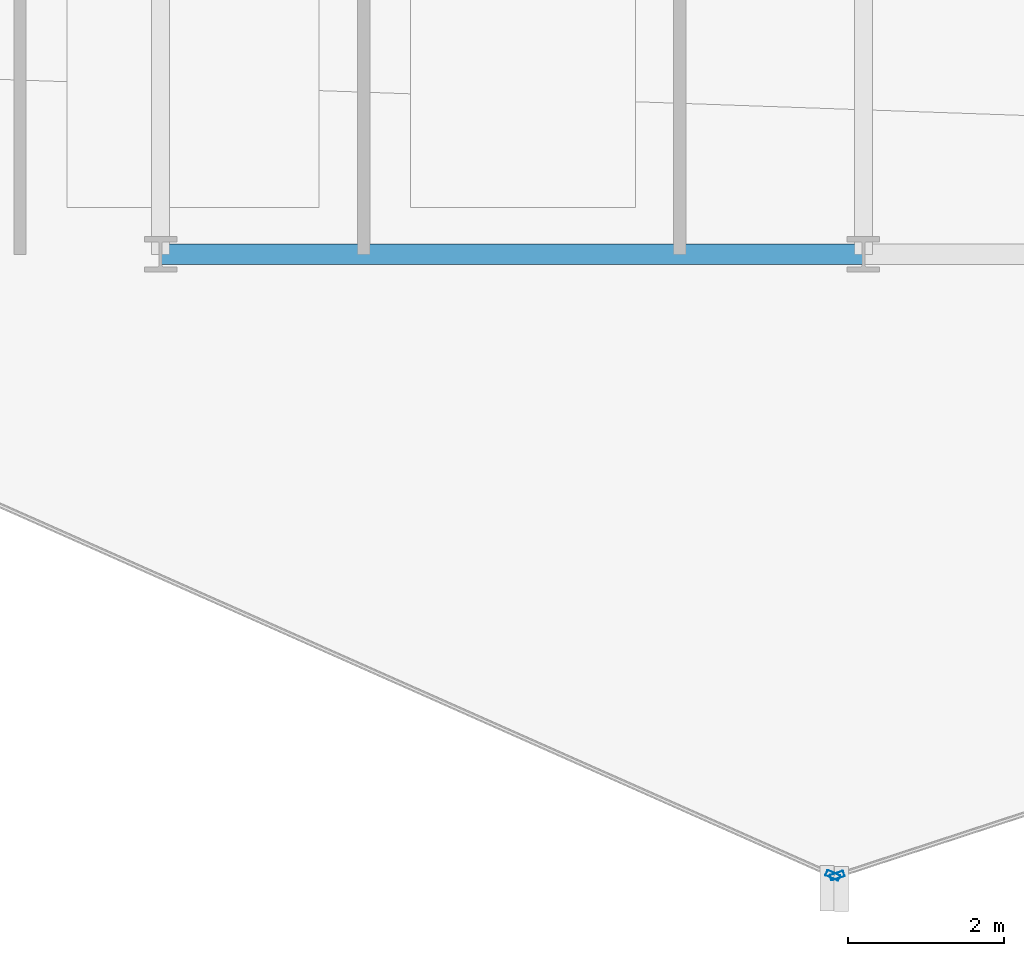
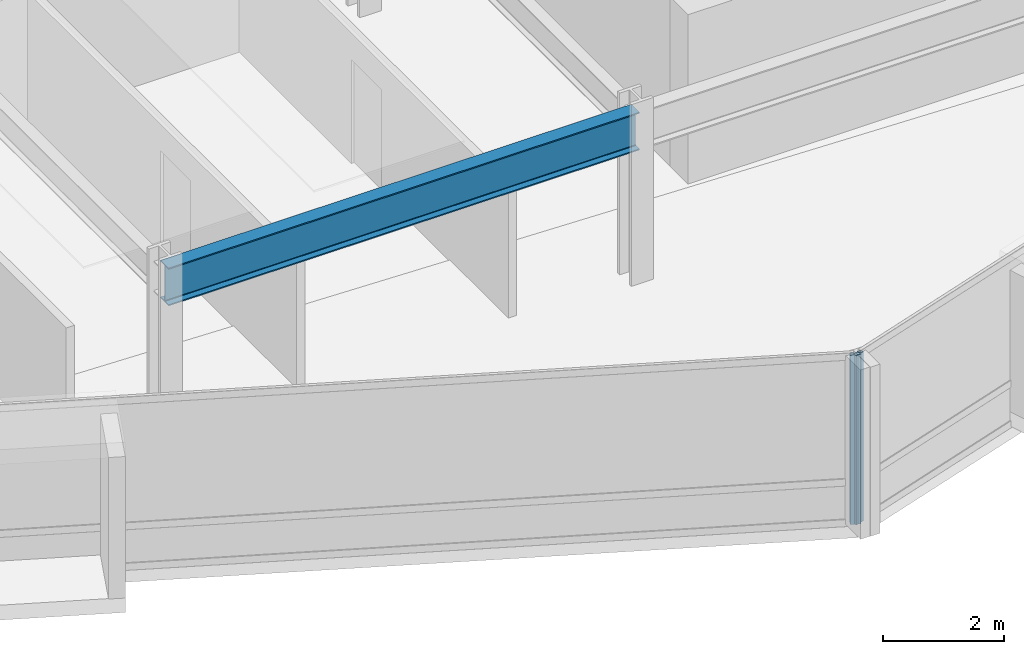
# One storey, part 4 of 29: 2 members, 1 beam, 2 elements without a shape of their own.
"""IFC4 building model written with IfcOpenShell, lengths in metres."""

from ifc_helpers import new_model, si_unit, direction, frame, origin, origin_2d, place, context, subcontext, project, spatial, hollow_rectangle, i_section, extrude, material, layer, layer_set, material_profile, profile_set, type_object, element, aggregate, save


model = new_model("IFC4")

# Units and contexts
model_context = context("Model", 3, precision=1e-05, world=origin(), true_north=direction((0.0, 1.0)))
body_context = subcontext(model_context, "Body", "Model", "MODEL_VIEW")
ifc_project = project(units=[si_unit("LENGTHUNIT", "METRE"), si_unit("AREAUNIT", "SQUARE_METRE"), si_unit("VOLUMEUNIT", "CUBIC_METRE"), si_unit("PLANEANGLEUNIT", "RADIAN"), si_unit("MASSUNIT", "GRAM", prefix="KILO")], contexts=[model_context])

# Site, building, storey
site_placement = place(None, origin())
site = spatial("IfcSite", under=ifc_project, at=site_placement, CompositionType="ELEMENT")
building_placement = place(site_placement, origin())
building = spatial("IfcBuilding", under=site, at=building_placement, Name="Solvaryn Broadcast Tower", CompositionType="ELEMENT")
storey_placement = place(building_placement, frame((0.0, 0.0, 121.10009765625)))
storey = spatial("IfcBuildingStorey", under=building, at=storey_placement, Name="L29", CompositionType="ELEMENT", Elevation=121.10009765625)

# Beam
ifc_material_1 = material(Name="Steel ASTM A992 Grade 50", Category="steel")
ifc_material_profile_1 = material_profile(ifc_material_1, i_section(OverallWidth=0.26708984375, OverallDepth=0.76611328125, WebThickness=0.014892578125, FlangeThickness=0.023681640625, FilletRadius=0.01806640625, at=origin_2d()))
ifc_profile_set_1 = profile_set([ifc_material_profile_1], Name="Steel ASTM A992 Grade 50")
beam_type = type_object("IfcBeamType", Name="BM-SP2-W30X124", PredefinedType="USERDEFINED", material=ifc_profile_set_1)
beam_placement = place(storey_placement, frame((18.0, 9.0, 3.036865234375), z_axis=(1.0, 0.0, 0.0), x_axis=(0.0, 1.0, 0.0)))
element("IfcBeam", 1, at=beam_placement, inside=storey, type_object=beam_type, Name="L29 Spandrel Beam X (18-27 @ Y=9)", ObjectType="SPANDREL", PredefinedType="USERDEFINED", context=body_context, shape_type="SweptSolid", body=[
    extrude(i_section(OverallWidth=0.26708984375, OverallDepth=0.76611328125, WebThickness=0.014892578125, FlangeThickness=0.023681640625, FilletRadius=0.01806640625, at=origin_2d()), origin(), (0.0, 0.0, 1.0), 9.0),
])

# Curtain wall, member
ifc_material_2 = material(Name="Aluminium and Terracotta Unitised Curtain Wall", Category="masonry")
ifc_layer = layer(ifc_material_2, 0.199951171875)
ifc_layer_set = layer_set([ifc_layer], Name="CW-SYS2-LOWMID")
curtain_wall_type = type_object("IfcCurtainWallType", Name="CW-SYS2-LOWMID", PredefinedType="NOTDEFINED", material=ifc_layer_set)
curtain_wall_1_placement = place(storey_placement, origin())
curtain_wall_1 = element("IfcCurtainWall", 2, at=curtain_wall_1_placement, inside=storey, type_object=curtain_wall_type, Name="L29 Curtain Wall DR3", PredefinedType="NOTDEFINED")
ifc_material_3 = material(Name="Anodised Aluminium 6063-T6", Category="aluminium")
ifc_material_profile_2 = material_profile(ifc_material_3, hollow_rectangle(XDim=0.074951171875, YDim=0.179931640625, WallThickness=0.00390625, InnerFilletRadius=0.00390625, OuterFilletRadius=0.008056640625, at=origin_2d()))
ifc_profile_set_2 = profile_set([ifc_material_profile_2], Name="Anodised Aluminium 6063-T6")
member_type = type_object("IfcMemberType", Name="CW-MUL-180", PredefinedType="MULLION", material=ifc_profile_set_2)
member_1_placement = place(storey_placement, frame((26.608642578125, 1.046142578125, 0.0), z_axis=(0.0, 0.0, 1.0), x_axis=(0.405918429309, 0.913909311008, 0.0)))
member_1 = element("IfcMember", 3, at=member_1_placement, type_object=member_type, Name="CWS2 mullion 2", PredefinedType="MULLION", context=body_context, shape_type="SweptSolid", body=[
    extrude(hollow_rectangle(XDim=0.074951171875, YDim=0.179931640625, WallThickness=0.00390625, InnerFilletRadius=0.00390625, OuterFilletRadius=0.008056640625, at=origin_2d()), origin(), (0.0, 0.0, 1.0), 3.419921875),
])
aggregate(curtain_wall_1, [member_1])

curtain_wall_2_placement = place(storey_placement, origin())
curtain_wall_2 = element("IfcCurtainWall", 4, at=curtain_wall_2_placement, inside=storey, type_object=curtain_wall_type, Name="L29 Curtain Wall DR4", PredefinedType="NOTDEFINED")
member_2_placement = place(storey_placement, frame((26.66455078125, 1.04345703125, 0.0), z_axis=(0.0, 0.0, 1.0), x_axis=(-0.311646057547, 0.950198260794, 0.0)))
member_2 = element("IfcMember", 5, at=member_2_placement, type_object=member_type, Name="CWS2 mullion 1", PredefinedType="MULLION", context=body_context, shape_type="SweptSolid", body=[
    extrude(hollow_rectangle(XDim=0.074951171875, YDim=0.179931640625, WallThickness=0.00390625, InnerFilletRadius=0.00390625, OuterFilletRadius=0.008056640625, at=origin_2d()), origin(), (0.0, 0.0, 1.0), 3.419921875),
])
aggregate(curtain_wall_2, [member_2])

save(model, "model.ifc")
